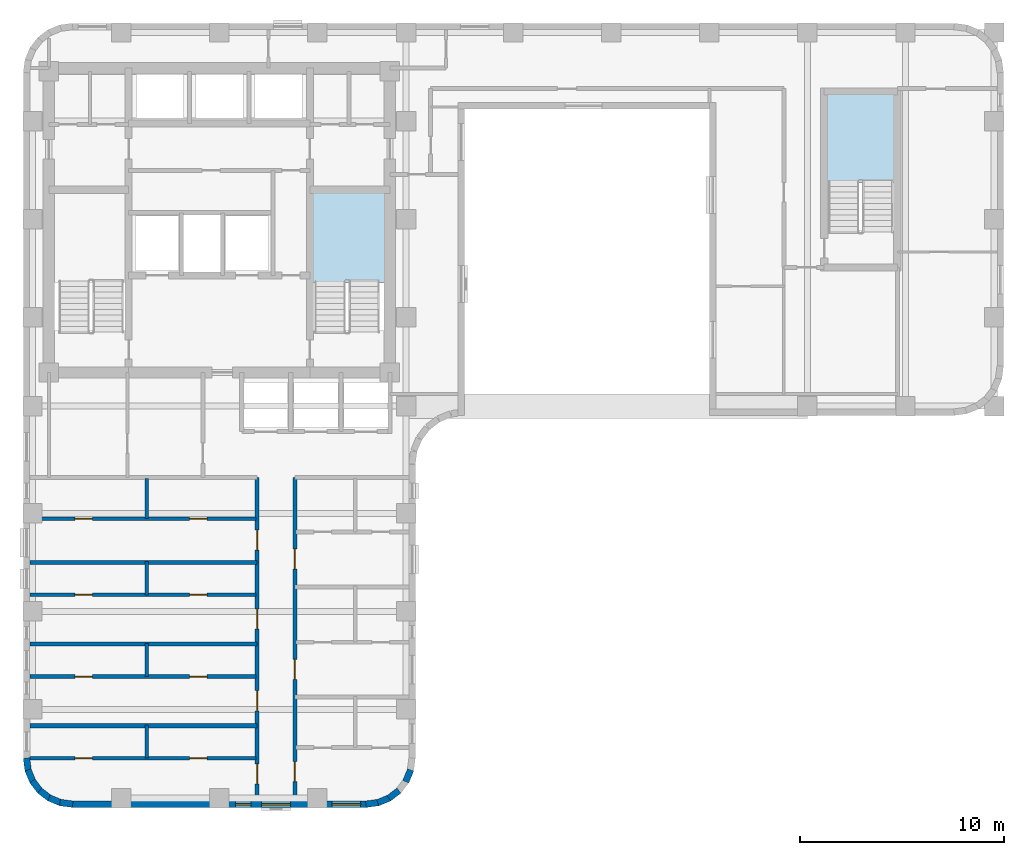
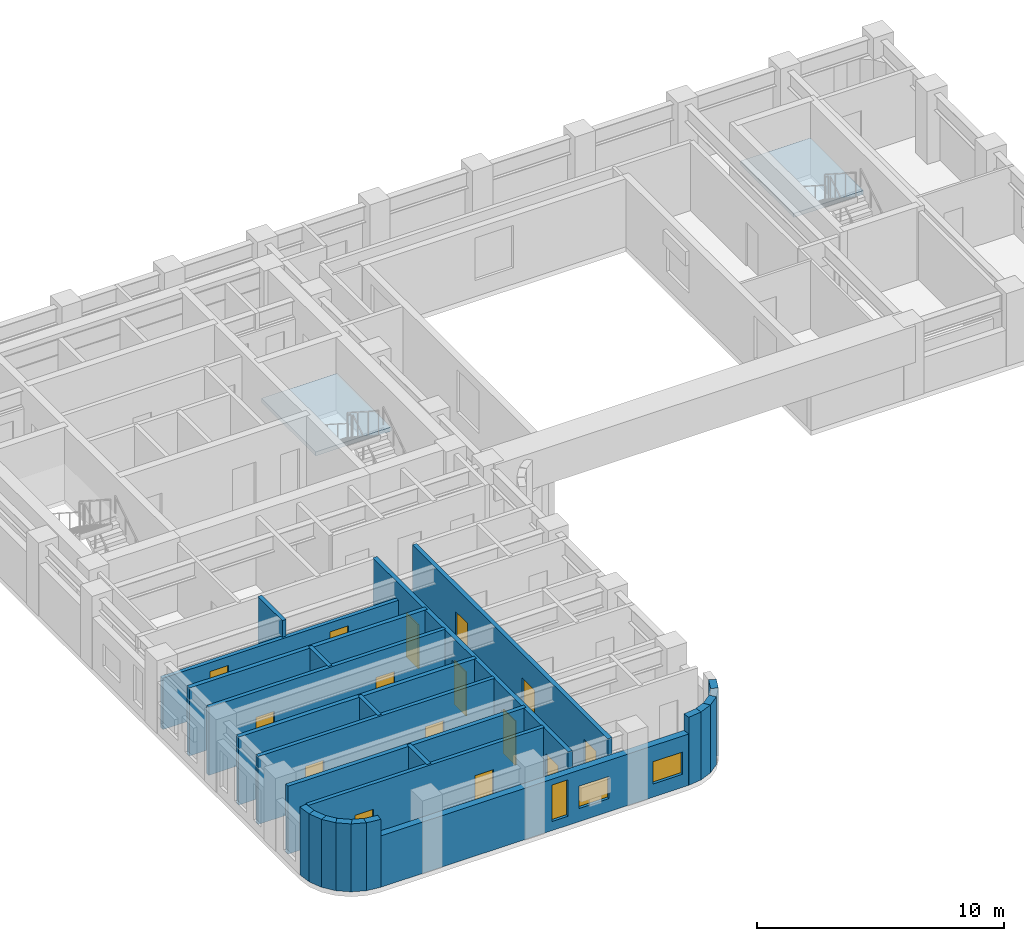
# One storey, part 2 of 8: 24 walls, 15 doors, 3 windows, 2 slabs, 18 openings, 2 elements without a shape of their own.
"""IFC4 building model written with IfcOpenShell, lengths in metres."""

from ifc_helpers import new_model, si_unit, direction, frame, frame_2d, origin, place, context, subcontext, project, spatial, polyline, rectangle, outline, extrude, material, layer, layer_set, type_object, element, fill, aggregate, save


model = new_model("IFC4")

# Units and contexts
model_context = context("Model", 3, precision=1e-05, world=origin(), true_north=direction((0.0, 1.0)))
body_context = subcontext(model_context, "Body", "Model", "MODEL_VIEW")
ifc_project = project(units=[si_unit("LENGTHUNIT", "METRE"), si_unit("AREAUNIT", "SQUARE_METRE"), si_unit("VOLUMEUNIT", "CUBIC_METRE"), si_unit("PLANEANGLEUNIT", "RADIAN"), si_unit("MASSUNIT", "GRAM", prefix="KILO")], contexts=[model_context])

# Site, building, storey
site_placement = place(None, origin())
site = spatial("IfcSite", under=ifc_project, at=site_placement, CompositionType="ELEMENT")
building_placement = place(site_placement, origin())
building = spatial("IfcBuilding", under=site, at=building_placement, Name="Orvandelia Arch Residences", CompositionType="ELEMENT")
storey_placement = place(building_placement, frame((0.0, 0.0, 107.199951171875)))
storey = spatial("IfcBuildingStorey", under=building, at=storey_placement, Name="L27", CompositionType="ELEMENT", Elevation=107.199951171875)

# Stair, slab
ifc_material_1 = material(Name="Concrete C40/50", Category="concrete")
stair_type = type_object("IfcStairType", Name="STAIR-RC-DOGLEG", PredefinedType="HALF_TURN_STAIR", material=ifc_material_1)
stair_1_placement = place(storey_placement, origin())
stair_1 = element("IfcStair", 1, at=stair_1_placement, inside=storey, type_object=stair_type, Name="L27 Protected Exit Stair ST-2", PredefinedType="HALF_TURN_STAIR")
ifc_layer_1 = layer(ifc_material_1, 0.219970703125, Name="Concrete C40/50", Category="concrete")
ifc_layer_set_1 = layer_set([ifc_layer_1], Name="Concrete C40/50")
slab_type = type_object("IfcSlabType", Name="SLB-LANDING-220", PredefinedType="LANDING", material=ifc_layer_set_1)
slab_1_placement = place(storey_placement, frame((0.0, 0.0, 1.60009765625)))
slab_1 = element("IfcSlab", 2, at=slab_1_placement, type_object=slab_type, Name="ST-2 landing 1", PredefinedType="LANDING", context=body_context, shape_type="SweptSolid", body=[
    extrude(outline(polyline([(22.5400390625, 35.31005859375), (22.5400390625, 39.68994140625), (19.0, 39.68994140625), (19.0, 35.31005859375), (22.5400390625, 35.31005859375)])), origin(), (0.0, 0.0, 1.0), 0.199951171875),
])
aggregate(stair_1, [slab_1])

stair_2_placement = place(storey_placement, origin())
stair_2 = element("IfcStair", 3, at=stair_2_placement, inside=storey, type_object=stair_type, Name="L27 East Wing Exit Stair ST-3", PredefinedType="HALF_TURN_STAIR")
slab_2_placement = place(storey_placement, frame((0.0, 0.0, 1.60009765625)))
slab_2 = element("IfcSlab", 4, at=slab_2_placement, type_object=slab_type, Name="ST-3 landing 1", PredefinedType="LANDING", context=body_context, shape_type="SweptSolid", body=[
    extrude(outline(polyline([(47.43994140625, 40.2099609375), (47.43994140625, 44.5), (44.179931640625, 44.5), (44.179931640625, 40.2099609375), (47.43994140625, 40.2099609375)])), origin(), (0.0, 0.0, 1.0), 0.199951171875),
])
aggregate(stair_2, [slab_2])

# Wall, openings, doors
ifc_material_2 = material(Name="Fire-Rated Corridor Partition")
ifc_layer_2 = layer(ifc_material_2, 0.199951171875, Name="Fire-Rated Corridor Partition")
ifc_layer_set_2 = layer_set([ifc_layer_2], Name="Fire-Rated Corridor Partition")
wall_type_1 = type_object("IfcWallType", Name="WL-CORR-200", PredefinedType="PARTITIONING", material=ifc_layer_set_2)
wall_1_placement = place(storey_placement, frame((16.25, 9.919921875, 0.0), z_axis=(0.0, 0.0, 1.0), x_axis=(0.0, 1.0, 0.0)))
wall_1 = element("IfcWall", 5, at=wall_1_placement, inside=storey, type_object=wall_type_1, Name="Interior Partition Wall WL-L27-WC-W", PredefinedType="PARTITIONING", context=body_context, shape_type="SweptSolid", body=[
    extrude(rectangle(XDim=15.830078125, YDim=0.199951171875, at=frame_2d((7.9150390625, 0.0))), origin(), (0.0, 0.0, 1.0), 3.360107421875),
])
opening_1_placement = place(wall_1_placement, frame((0.8349609375, 0.0, 0.0)))
opening_1 = element("IfcOpeningElement", 6, at=opening_1_placement, cuts=wall_1, Name="Opening D1", PredefinedType="OPENING", context=body_context, shape_type="SweptSolid", body=[
    extrude(rectangle(XDim=0.97998046875, YDim=2.179931640625, at=frame_2d((0.489990234375, 1.08984375))), frame((0.0, 0.10986328125, 0.0), z_axis=(0.0, -1.0, 0.0), x_axis=(1.0, 0.0, 0.0)), (0.0, 0.0, 1.0), 0.219970703125),
])
opening_2_placement = place(wall_1_placement, frame((4.4150390625, 0.0, 0.0)))
opening_2 = element("IfcOpeningElement", 7, at=opening_2_placement, cuts=wall_1, Name="Opening D1", PredefinedType="OPENING", context=body_context, shape_type="SweptSolid", body=[
    extrude(rectangle(XDim=0.97998046875, YDim=2.179931640625, at=frame_2d((0.489990234375, 1.08984375))), frame((0.0, 0.10986328125, 0.0), z_axis=(0.0, -1.0, 0.0), x_axis=(1.0, 0.0, 0.0)), (0.0, 0.0, 1.0), 0.219970703125),
])
opening_3_placement = place(wall_1_placement, frame((8.4150390625, 0.0, 0.0)))
opening_3 = element("IfcOpeningElement", 8, at=opening_3_placement, cuts=wall_1, Name="Opening D1", PredefinedType="OPENING", context=body_context, shape_type="SweptSolid", body=[
    extrude(rectangle(XDim=0.97998046875, YDim=2.179931640625, at=frame_2d((0.489990234375, 1.08984375))), frame((0.0, 0.10986328125, 0.0), z_axis=(0.0, -1.0, 0.0), x_axis=(1.0, 0.0, 0.0)), (0.0, 0.0, 1.0), 0.219970703125),
])
opening_4_placement = place(wall_1_placement, frame((12.280029296875, 0.0, 0.0)))
opening_4 = element("IfcOpeningElement", 9, at=opening_4_placement, cuts=wall_1, Name="Opening D1", PredefinedType="OPENING", context=body_context, shape_type="SweptSolid", body=[
    extrude(rectangle(XDim=0.97998046875, YDim=2.179931640625, at=frame_2d((0.489990234375, 1.08984375))), frame((0.0, 0.10986328125, 0.0), z_axis=(0.0, -1.0, 0.0), x_axis=(1.0, 0.0, 0.0)), (0.0, 0.0, 1.0), 0.219970703125),
])
ifc_material_3 = material(Name="Solid-Core Timber Acoustic Fire Door", Category="wood")
door_type_1 = type_object("IfcDoorType", Name="DR-ENT-980", OperationType="NOTDEFINED", PredefinedType="DOOR", material=ifc_material_3)
door_1_placement = place(opening_1_placement, origin())
door_1 = element("IfcDoor", 10, at=door_1_placement, inside=storey, type_object=door_type_1, Name="Unit L27-01 Entrance Door", OperationType="SINGLE_SWING_LEFT", OverallHeight=2.179931640625, OverallWidth=0.97998046875, PredefinedType="DOOR", context=body_context, shape_type="SweptSolid", body=[
    extrude(rectangle(XDim=0.97998046875, YDim=2.179931640625, at=frame_2d((0.489990234375, 1.08984375))), frame((0.0, 0.02490234375, 0.0), z_axis=(0.0, -1.0, 0.0), x_axis=(1.0, 0.0, 0.0)), (0.0, 0.0, 1.0), 0.050048828125),
])
fill(opening_1, door_1)
door_2_placement = place(opening_2_placement, origin())
door_2 = element("IfcDoor", 11, at=door_2_placement, inside=storey, type_object=door_type_1, Name="Unit L27-02 Entrance Door", OperationType="SINGLE_SWING_RIGHT", OverallHeight=2.179931640625, OverallWidth=0.97998046875, PredefinedType="DOOR", context=body_context, shape_type="SweptSolid", body=[
    extrude(rectangle(XDim=0.97998046875, YDim=2.179931640625, at=frame_2d((0.489990234375, 1.08984375))), frame((0.0, 0.02490234375, 0.0), z_axis=(0.0, -1.0, 0.0), x_axis=(1.0, 0.0, 0.0)), (0.0, 0.0, 1.0), 0.050048828125),
])
fill(opening_2, door_2)
door_3_placement = place(opening_3_placement, origin())
door_3 = element("IfcDoor", 12, at=door_3_placement, inside=storey, type_object=door_type_1, Name="Unit L27-03 Entrance Door", OperationType="SINGLE_SWING_LEFT", OverallHeight=2.179931640625, OverallWidth=0.97998046875, PredefinedType="DOOR", context=body_context, shape_type="SweptSolid", body=[
    extrude(rectangle(XDim=0.97998046875, YDim=2.179931640625, at=frame_2d((0.489990234375, 1.08984375))), frame((0.0, 0.02490234375, 0.0), z_axis=(0.0, -1.0, 0.0), x_axis=(1.0, 0.0, 0.0)), (0.0, 0.0, 1.0), 0.050048828125),
])
fill(opening_3, door_3)
door_4_placement = place(opening_4_placement, origin())
door_4 = element("IfcDoor", 13, at=door_4_placement, inside=storey, type_object=door_type_1, Name="Unit L27-04 Entrance Door", OperationType="SINGLE_SWING_RIGHT", OverallHeight=2.179931640625, OverallWidth=0.97998046875, PredefinedType="DOOR", context=body_context, shape_type="SweptSolid", body=[
    extrude(rectangle(XDim=0.97998046875, YDim=2.179931640625, at=frame_2d((0.489990234375, 1.08984375))), frame((0.0, 0.02490234375, 0.0), z_axis=(0.0, -1.0, 0.0), x_axis=(1.0, 0.0, 0.0)), (0.0, 0.0, 1.0), 0.050048828125),
])
fill(opening_4, door_4)

wall_2_placement = place(storey_placement, frame((18.10009765625, 9.919921875, 0.0), z_axis=(0.0, 0.0, 1.0), x_axis=(0.0, 1.0, 0.0)))
wall_2 = element("IfcWall", 14, at=wall_2_placement, inside=storey, type_object=wall_type_1, Name="Interior Partition Wall WL-L27-WC-E", PredefinedType="PARTITIONING", context=body_context, shape_type="SweptSolid", body=[
    extrude(rectangle(XDim=15.830078125, YDim=0.199951171875, at=frame_2d((7.9150390625, 0.0))), origin(), (0.0, 0.0, 1.0), 3.360107421875),
])
opening_5_placement = place(wall_2_placement, frame((0.946044921875, 0.0, 0.0)))
opening_5 = element("IfcOpeningElement", 15, at=opening_5_placement, cuts=wall_2, Name="Opening D1", PredefinedType="OPENING", context=body_context, shape_type="SweptSolid", body=[
    extrude(rectangle(XDim=0.97998046875, YDim=2.179931640625, at=frame_2d((0.489990234375, 1.08984375))), frame((0.0, 0.10986328125, 0.0), z_axis=(0.0, -1.0, 0.0), x_axis=(1.0, 0.0, 0.0)), (0.0, 0.0, 1.0), 0.219970703125),
])
opening_6_placement = place(wall_2_placement, frame((5.9560546875, 0.0, 0.0)))
opening_6 = element("IfcOpeningElement", 16, at=opening_6_placement, cuts=wall_2, Name="Opening D1", PredefinedType="OPENING", context=body_context, shape_type="SweptSolid", body=[
    extrude(rectangle(XDim=0.97998046875, YDim=2.179931640625, at=frame_2d((0.489990234375, 1.08984375))), frame((0.0, 0.10986328125, 0.0), z_axis=(0.0, -1.0, 0.0), x_axis=(1.0, 0.0, 0.0)), (0.0, 0.0, 1.0), 0.219970703125),
])
opening_7_placement = place(wall_2_placement, frame((11.35595703125, 0.0, 0.0)))
opening_7 = element("IfcOpeningElement", 17, at=opening_7_placement, cuts=wall_2, Name="Opening D1", PredefinedType="OPENING", context=body_context, shape_type="SweptSolid", body=[
    extrude(rectangle(XDim=0.97998046875, YDim=2.179931640625, at=frame_2d((0.489990234375, 1.08984375))), frame((0.0, 0.10986328125, 0.0), z_axis=(0.0, -1.0, 0.0), x_axis=(1.0, 0.0, 0.0)), (0.0, 0.0, 1.0), 0.219970703125),
])
door_5_placement = place(opening_5_placement, origin())
door_5 = element("IfcDoor", 18, at=door_5_placement, inside=storey, type_object=door_type_1, Name="Unit L27-05 Entrance Door", OperationType="SINGLE_SWING_LEFT", OverallHeight=2.179931640625, OverallWidth=0.97998046875, PredefinedType="DOOR", context=body_context, shape_type="SweptSolid", body=[
    extrude(rectangle(XDim=0.97998046875, YDim=2.179931640625, at=frame_2d((0.489990234375, 1.08984375))), frame((0.0, 0.02490234375, 0.0), z_axis=(0.0, -1.0, 0.0), x_axis=(1.0, 0.0, 0.0)), (0.0, 0.0, 1.0), 0.050048828125),
])
fill(opening_5, door_5)
door_6_placement = place(opening_6_placement, origin())
door_6 = element("IfcDoor", 19, at=door_6_placement, inside=storey, type_object=door_type_1, Name="Unit L27-06 Entrance Door", OperationType="SINGLE_SWING_RIGHT", OverallHeight=2.179931640625, OverallWidth=0.97998046875, PredefinedType="DOOR", context=body_context, shape_type="SweptSolid", body=[
    extrude(rectangle(XDim=0.97998046875, YDim=2.179931640625, at=frame_2d((0.489990234375, 1.08984375))), frame((0.0, 0.02490234375, 0.0), z_axis=(0.0, -1.0, 0.0), x_axis=(1.0, 0.0, 0.0)), (0.0, 0.0, 1.0), 0.050048828125),
])
fill(opening_6, door_6)
door_7_placement = place(opening_7_placement, origin())
door_7 = element("IfcDoor", 20, at=door_7_placement, inside=storey, type_object=door_type_1, Name="Unit L27-07 Entrance Door", OperationType="SINGLE_SWING_LEFT", OverallHeight=2.179931640625, OverallWidth=0.97998046875, PredefinedType="DOOR", context=body_context, shape_type="SweptSolid", body=[
    extrude(rectangle(XDim=0.97998046875, YDim=2.179931640625, at=frame_2d((0.489990234375, 1.08984375))), frame((0.0, 0.02490234375, 0.0), z_axis=(0.0, -1.0, 0.0), x_axis=(1.0, 0.0, 0.0)), (0.0, 0.0, 1.0), 0.050048828125),
])
fill(opening_7, door_7)

# Walls
ifc_layer_3 = layer(ifc_material_1, 0.199951171875, Name="Concrete C40/50", Category="concrete")
ifc_layer_set_3 = layer_set([ifc_layer_3], Name="Concrete C40/50")
wall_type_2 = type_object("IfcWallType", Name="WL-DEM-200", PredefinedType="SOLIDWALL", material=ifc_layer_set_3)
for number, where, z_axis, x_axis, name in (
    (21, (5.1201171875, 13.60009765625, 0.0), (0.0, 0.0, 1.0), (1.0, 0.0, 0.0), "Interior Partition Wall WL-L27-DEM-WL-136"),
    (22, (5.1201171875, 17.60009765625, 0.0), (0.0, 0.0, 1.0), (1.0, 0.0, 0.0), "Interior Partition Wall WL-L27-DEM-WL-176"),
    (23, (5.1201171875, 21.60009765625, 0.0), (0.0, 0.0, 1.0), (1.0, 0.0, 0.0), "Interior Partition Wall WL-L27-DEM-WL-216"),
):
    element("IfcWall", number, at=place(storey_placement, frame(where, z_axis=z_axis, x_axis=x_axis)), inside=storey, type_object=wall_type_2, Name=name, PredefinedType="SOLIDWALL", context=body_context, shape_type="SweptSolid", body=[
        extrude(rectangle(XDim=11.1298828125, YDim=0.199951171875, at=frame_2d((5.56494140625, 0.0))), origin(), (0.0, 0.0, 1.0), 3.360107421875),
    ])
ifc_material_4 = material(Name="Precast concrete C40/50", Category="concrete")
ifc_layer_4 = layer(ifc_material_4, 0.320068359375, Name="Precast concrete C40/50", Category="concrete")
ifc_layer_set_4 = layer_set([ifc_layer_4], Name="Precast concrete C40/50")
wall_type_3 = type_object("IfcWallType", Name="WL-EXT-STONE-320", PredefinedType="STANDARD", material=ifc_layer_set_4)
for number, where, z_axis, x_axis, name in (
    (24, (23.7705078125, 11.43994140625, 0.0), (0.0, 0.0, 1.0), (-0.382650053678, -0.92389335771, 0.0), "Coral-Limestone Precast Facade Wall L27-033"),
    (25, (23.19970703125, 10.4296875, 0.0), (0.0, 0.0, 1.0), (-0.793405610854, -0.608693302629, 0.0), "Coral-Limestone Precast Facade Wall L27-035"),
    (26, (22.73876953125, 10.0693359375, 0.0), (0.0, 0.0, 1.0), (-0.92389335771, -0.382650053678, 0.0), "Coral-Limestone Precast Facade Wall L27-036"),
    (27, (22.2001953125, 9.84033203125, 0.0), (0.0, 0.0, 1.0), (-0.9914410257, -0.130555323746, 0.0), "Coral-Limestone Precast Facade Wall L27-037"),
):
    element("IfcWall", number, at=place(storey_placement, frame(where, z_axis=z_axis, x_axis=x_axis)), inside=storey, type_object=wall_type_3, Name=name, PredefinedType="STANDARD", context=body_context, shape_type="SweptSolid", body=[
        extrude(rectangle(XDim=0.62646484375, YDim=0.320068359375, at=frame_2d((0.313232421875, 0.0))), origin(), (0.0, 0.0, 1.0), 3.360107421875),
    ])

# Wall, openings, windows
wall_3_placement = place(storey_placement, frame((21.60009765625, 9.760009765625, 0.0), z_axis=(0.0, 0.0, 1.0), x_axis=(-1.0, 0.0, 0.0)))
wall_3 = element("IfcWall", 28, at=wall_3_placement, inside=storey, type_object=wall_type_3, Name="Coral-Limestone Precast Facade Wall L27-038", PredefinedType="STANDARD", context=body_context, shape_type="SweptSolid", body=[
    extrude(rectangle(XDim=14.400146484375, YDim=0.320068359375, at=frame_2d((7.2001953125, 0.0))), origin(), (0.0, 0.0, 1.0), 2.5400390625),
])
opening_8_placement = place(wall_3_placement, frame((5.652587890625, 0.0, 0.449951171875)))
opening_8 = element("IfcOpeningElement", 29, at=opening_8_placement, cuts=wall_3, Name="Opening W11", PredefinedType="OPENING", context=body_context, shape_type="SweptSolid", body=[
    extrude(rectangle(XDim=0.75, YDim=1.800048828125, at=frame_2d((0.375, 0.89990234375))), frame((0.0, 0.169921875, 0.0), z_axis=(0.0, -1.0, 0.0), x_axis=(1.0, 0.0, 0.0)), (0.0, 0.0, 1.0), 0.340087890625),
])
opening_9_placement = place(wall_3_placement, frame((0.282470703125, 0.0, 0.64990234375)))
opening_9 = element("IfcOpeningElement", 30, at=opening_9_placement, cuts=wall_3, Name="Opening W10", PredefinedType="OPENING", context=body_context, shape_type="SweptSolid", body=[
    extrude(rectangle(XDim=1.39990234375, YDim=1.10009765625, at=frame_2d((0.699951171875, 0.550048828125))), frame((0.0, 0.169921875, 0.0), z_axis=(0.0, -1.0, 0.0), x_axis=(1.0, 0.0, 0.0)), (0.0, 0.0, 1.0), 0.340087890625),
])
opening_10_placement = place(wall_3_placement, frame((3.72509765625, 0.0, 0.64990234375)))
opening_10 = element("IfcOpeningElement", 31, at=opening_10_placement, cuts=wall_3, Name="Opening W10", PredefinedType="OPENING", context=body_context, shape_type="SweptSolid", body=[
    extrude(rectangle(XDim=1.39990234375, YDim=1.10009765625, at=frame_2d((0.699951171875, 0.550048828125))), frame((0.0, 0.169921875, 0.0), z_axis=(0.0, -1.0, 0.0), x_axis=(1.0, 0.0, 0.0)), (0.0, 0.0, 1.0), 0.340087890625),
])
ifc_material_5 = material(Name="Tempered Low-E Insulated Glazing", Category="glass")
window_type_1 = type_object("IfcWindowType", Name="WIN-BED-0750x1800", PartitioningType="SINGLE_PANEL", PredefinedType="WINDOW", material=ifc_material_5)
window_1_placement = place(opening_8_placement, origin())
window_1 = element("IfcWindow", 32, at=window_1_placement, inside=storey, type_object=window_type_1, Name="Recessed Punched Window L27-016", OverallHeight=1.800048828125, OverallWidth=0.75, PartitioningType="SINGLE_PANEL", PredefinedType="WINDOW", context=body_context, shape_type="SweptSolid", body=[
    extrude(rectangle(XDim=0.75, YDim=1.800048828125, at=frame_2d((0.375, 0.89990234375))), frame((0.0, 0.030029296875, 0.0), z_axis=(0.0, -1.0, 0.0), x_axis=(1.0, 0.0, 0.0)), (0.0, 0.0, 1.0), 0.06005859375),
])
fill(opening_8, window_1)
window_type_2 = type_object("IfcWindowType", Name="WIN-CLR-1400x1100", PartitioningType="SINGLE_PANEL", PredefinedType="WINDOW", material=ifc_material_5)
window_2_placement = place(opening_9_placement, origin())
window_2 = element("IfcWindow", 33, at=window_2_placement, inside=storey, type_object=window_type_2, Name="Recessed Punched Window L27-017", OverallHeight=1.10009765625, OverallWidth=1.39990234375, PartitioningType="SINGLE_PANEL", PredefinedType="WINDOW", context=body_context, shape_type="SweptSolid", body=[
    extrude(rectangle(XDim=1.39990234375, YDim=1.10009765625, at=frame_2d((0.699951171875, 0.550048828125))), frame((0.0, 0.030029296875, 0.0), z_axis=(0.0, -1.0, 0.0), x_axis=(1.0, 0.0, 0.0)), (0.0, 0.0, 1.0), 0.06005859375),
])
fill(opening_9, window_2)
window_3_placement = place(opening_10_placement, origin())
window_3 = element("IfcWindow", 34, at=window_3_placement, inside=storey, type_object=window_type_2, Name="Recessed Punched Window L27-018", OverallHeight=1.10009765625, OverallWidth=1.39990234375, PartitioningType="SINGLE_PANEL", PredefinedType="WINDOW", context=body_context, shape_type="SweptSolid", body=[
    extrude(rectangle(XDim=1.39990234375, YDim=1.10009765625, at=frame_2d((0.699951171875, 0.550048828125))), frame((0.0, 0.030029296875, 0.0), z_axis=(0.0, -1.0, 0.0), x_axis=(1.0, 0.0, 0.0)), (0.0, 0.0, 1.0), 0.06005859375),
])
fill(opening_10, window_3)

# Walls
wall_4_placement = place(storey_placement, frame((7.220947265625, 9.758544921875, 0.0), z_axis=(0.0, 0.0, 1.0), x_axis=(-0.991447664465, 0.130504898859, 0.0)))
element("IfcWall", 35, at=wall_4_placement, inside=storey, type_object=wall_type_3, Name="Coral-Limestone Precast Facade Wall L27-039", PredefinedType="STANDARD", context=body_context, shape_type="SweptSolid", body=[
    extrude(rectangle(XDim=0.626708984375, YDim=0.320068359375, at=frame_2d((0.3134765625, 0.0))), origin(), (0.0, 0.0, 1.0), 3.360107421875),
])
wall_5_placement = place(storey_placement, frame((6.639892578125, 9.82958984375, 0.0), z_axis=(0.0, 0.0, 1.0), x_axis=(-0.923836271867, 0.382787856107, 0.0)))
element("IfcWall", 36, at=wall_5_placement, inside=storey, type_object=wall_type_3, Name="Coral-Limestone Precast Facade Wall L27-040", PredefinedType="STANDARD", context=body_context, shape_type="SweptSolid", body=[
    extrude(rectangle(XDim=0.626220703125, YDim=0.320068359375, at=frame_2d((0.31298828125, 0.0))), origin(), (0.0, 0.0, 1.0), 3.360107421875),
])
wall_6_placement = place(storey_placement, frame((6.097412109375, 10.04833984375, 0.0), z_axis=(0.0, 0.0, 1.0), x_axis=(-0.793405610854, 0.608693302629, 0.0)))
element("IfcWall", 37, at=wall_6_placement, inside=storey, type_object=wall_type_3, Name="Coral-Limestone Precast Facade Wall L27-041", PredefinedType="STANDARD", context=body_context, shape_type="SweptSolid", body=[
    extrude(rectangle(XDim=0.62646484375, YDim=0.320068359375, at=frame_2d((0.313232421875, 0.0))), origin(), (0.0, 0.0, 1.0), 3.360107421875),
])
wall_7_placement = place(storey_placement, frame((5.6298828125, 10.400390625, 0.0), z_axis=(0.0, 0.0, 1.0), x_axis=(-0.608938521285, 0.7932174212, 0.0)))
element("IfcWall", 38, at=wall_7_placement, inside=storey, type_object=wall_type_3, Name="Coral-Limestone Precast Facade Wall L27-042", PredefinedType="STANDARD", context=body_context, shape_type="SweptSolid", body=[
    extrude(rectangle(XDim=0.626708984375, YDim=0.320068359375, at=frame_2d((0.3134765625, 0.0))), origin(), (0.0, 0.0, 1.0), 3.360107421875),
])
wall_8_placement = place(storey_placement, frame((5.269287109375, 10.861083984375, 0.0), z_axis=(0.0, 0.0, 1.0), x_axis=(-0.382650053678, 0.92389335771, 0.0)))
element("IfcWall", 39, at=wall_8_placement, inside=storey, type_object=wall_type_3, Name="Coral-Limestone Precast Facade Wall L27-043", PredefinedType="STANDARD", context=body_context, shape_type="SweptSolid", body=[
    extrude(rectangle(XDim=0.62646484375, YDim=0.320068359375, at=frame_2d((0.313232421875, 0.0))), origin(), (0.0, 0.0, 1.0), 3.360107421875),
])
wall_9_placement = place(storey_placement, frame((5.040283203125, 11.399658203125, 0.0), z_axis=(0.0, 0.0, 1.0), x_axis=(-0.130504898859, 0.991447664465, 0.0)))
element("IfcWall", 40, at=wall_9_placement, inside=storey, type_object=wall_type_3, Name="Coral-Limestone Precast Facade Wall L27-044", PredefinedType="STANDARD", context=body_context, shape_type="SweptSolid", body=[
    extrude(rectangle(XDim=0.626708984375, YDim=0.320068359375, at=frame_2d((0.3134765625, 0.0))), origin(), (0.0, 0.0, 1.0), 3.360107421875),
])

# Wall, openings, doors
ifc_material_6 = material(Name="Moisture-Resistant Plumbing Wall")
ifc_layer_5 = layer(ifc_material_6, 0.179931640625, Name="Moisture-Resistant Plumbing Wall")
ifc_layer_set_5 = layer_set([ifc_layer_5], Name="Moisture-Resistant Plumbing Wall")
wall_type_4 = type_object("IfcWallType", Name="WL-WET-180", PredefinedType="PLUMBINGWALL", material=ifc_layer_set_5)
wall_10_placement = place(storey_placement, frame((5.139892578125, 12.010009765625, 0.0), z_axis=(0.0, 0.0, 1.0), x_axis=(1.0, 0.0, 0.0)))
wall_10 = element("IfcWall", 41, at=wall_10_placement, inside=storey, type_object=wall_type_4, Name="Interior Partition Wall WL-L27-U01-HZ", PredefinedType="PLUMBINGWALL", context=body_context, shape_type="SweptSolid", body=[
    extrude(rectangle(XDim=11.050048828125, YDim=0.179931640625, at=frame_2d((5.52490234375, 0.0))), origin(), (0.0, 0.0, 1.0), 3.360107421875),
])
opening_11_placement = place(wall_10_placement, frame((2.18896484375, 0.0, 0.0)))
opening_11 = element("IfcOpeningElement", 42, at=opening_11_placement, cuts=wall_10, Name="Opening D4", PredefinedType="OPENING", context=body_context, shape_type="SweptSolid", body=[
    extrude(rectangle(XDim=0.860107421875, YDim=2.10009765625, at=frame_2d((0.43017578125, 1.050048828125))), frame((0.0, 0.10009765625, 0.0), z_axis=(0.0, -1.0, 0.0), x_axis=(1.0, 0.0, 0.0)), (0.0, 0.0, 1.0), 0.199951171875),
])
opening_12_placement = place(wall_10_placement, frame((7.803955078125, 0.0, 0.0)))
opening_12 = element("IfcOpeningElement", 43, at=opening_12_placement, cuts=wall_10, Name="Opening D4", PredefinedType="OPENING", context=body_context, shape_type="SweptSolid", body=[
    extrude(rectangle(XDim=0.860107421875, YDim=2.10009765625, at=frame_2d((0.43017578125, 1.050048828125))), frame((0.0, 0.10009765625, 0.0), z_axis=(0.0, -1.0, 0.0), x_axis=(1.0, 0.0, 0.0)), (0.0, 0.0, 1.0), 0.199951171875),
])
ifc_material_7 = material(Name="Moisture-Sealed Timber Bathroom Door", Category="wood")
door_type_2 = type_object("IfcDoorType", Name="DR-WET-900", OperationType="NOTDEFINED", PredefinedType="DOOR", material=ifc_material_7)
door_8_placement = place(opening_11_placement, origin())
door_8 = element("IfcDoor", 44, at=door_8_placement, inside=storey, type_object=door_type_2, Name="DR-L27-U01-KIT", OperationType="SINGLE_SWING_LEFT", OverallHeight=2.10009765625, OverallWidth=0.860107421875, PredefinedType="DOOR", context=body_context, shape_type="SweptSolid", body=[
    extrude(rectangle(XDim=0.860107421875, YDim=2.10009765625, at=frame_2d((0.43017578125, 1.050048828125))), frame((0.0, 0.02490234375, 0.0), z_axis=(0.0, -1.0, 0.0), x_axis=(1.0, 0.0, 0.0)), (0.0, 0.0, 1.0), 0.050048828125),
])
fill(opening_11, door_8)
door_9_placement = place(opening_12_placement, origin())
door_9 = element("IfcDoor", 45, at=door_9_placement, inside=storey, type_object=door_type_2, Name="DR-L27-U01-BTH", OperationType="SINGLE_SWING_RIGHT", OverallHeight=2.10009765625, OverallWidth=0.860107421875, PredefinedType="DOOR", context=body_context, shape_type="SweptSolid", body=[
    extrude(rectangle(XDim=0.860107421875, YDim=2.10009765625, at=frame_2d((0.43017578125, 1.050048828125))), frame((0.0, 0.02490234375, 0.0), z_axis=(0.0, -1.0, 0.0), x_axis=(1.0, 0.0, 0.0)), (0.0, 0.0, 1.0), 0.050048828125),
])
fill(opening_12, door_9)

# Wall
wall_11_placement = place(storey_placement, frame((10.847900390625, 12.010009765625, 0.0), z_axis=(0.0, 0.0, 1.0), x_axis=(0.0, 1.0, 0.0)))
element("IfcWall", 46, at=wall_11_placement, inside=storey, type_object=wall_type_4, Name="Interior Partition Wall WL-L27-U01-V1", PredefinedType="PLUMBINGWALL", context=body_context, shape_type="SweptSolid", body=[
    extrude(rectangle(XDim=1.6298828125, YDim=0.179931640625, at=frame_2d((0.81494140625, 0.0))), origin(), (0.0, 0.0, 1.0), 3.360107421875),
])

# Wall, openings, doors
wall_12_placement = place(storey_placement, frame((5.1201171875, 16.010009765625, 0.0), z_axis=(0.0, 0.0, 1.0), x_axis=(1.0, 0.0, 0.0)))
wall_12 = element("IfcWall", 47, at=wall_12_placement, inside=storey, type_object=wall_type_4, Name="Interior Partition Wall WL-L27-U02-HZ", PredefinedType="PLUMBINGWALL", context=body_context, shape_type="SweptSolid", body=[
    extrude(rectangle(XDim=11.06982421875, YDim=0.179931640625, at=frame_2d((5.534912109375, 0.0))), origin(), (0.0, 0.0, 1.0), 3.360107421875),
])
opening_13_placement = place(wall_12_placement, frame((2.208984375, 0.0, 0.0)))
opening_13 = element("IfcOpeningElement", 48, at=opening_13_placement, cuts=wall_12, Name="Opening D4", PredefinedType="OPENING", context=body_context, shape_type="SweptSolid", body=[
    extrude(rectangle(XDim=0.860107421875, YDim=2.10009765625, at=frame_2d((0.43017578125, 1.050048828125))), frame((0.0, 0.10009765625, 0.0), z_axis=(0.0, -1.0, 0.0), x_axis=(1.0, 0.0, 0.0)), (0.0, 0.0, 1.0), 0.199951171875),
])
opening_14_placement = place(wall_12_placement, frame((7.823974609375, 0.0, 0.0)))
opening_14 = element("IfcOpeningElement", 49, at=opening_14_placement, cuts=wall_12, Name="Opening D4", PredefinedType="OPENING", context=body_context, shape_type="SweptSolid", body=[
    extrude(rectangle(XDim=0.860107421875, YDim=2.10009765625, at=frame_2d((0.43017578125, 1.050048828125))), frame((0.0, 0.10009765625, 0.0), z_axis=(0.0, -1.0, 0.0), x_axis=(1.0, 0.0, 0.0)), (0.0, 0.0, 1.0), 0.199951171875),
])
door_10_placement = place(opening_13_placement, origin())
door_10 = element("IfcDoor", 50, at=door_10_placement, inside=storey, type_object=door_type_2, Name="DR-L27-U02-KIT", OperationType="SINGLE_SWING_RIGHT", OverallHeight=2.10009765625, OverallWidth=0.860107421875, PredefinedType="DOOR", context=body_context, shape_type="SweptSolid", body=[
    extrude(rectangle(XDim=0.860107421875, YDim=2.10009765625, at=frame_2d((0.43017578125, 1.050048828125))), frame((0.0, 0.02490234375, 0.0), z_axis=(0.0, -1.0, 0.0), x_axis=(1.0, 0.0, 0.0)), (0.0, 0.0, 1.0), 0.050048828125),
])
fill(opening_13, door_10)
door_11_placement = place(opening_14_placement, origin())
door_11 = element("IfcDoor", 51, at=door_11_placement, inside=storey, type_object=door_type_2, Name="DR-L27-U02-BTH", OperationType="SINGLE_SWING_LEFT", OverallHeight=2.10009765625, OverallWidth=0.860107421875, PredefinedType="DOOR", context=body_context, shape_type="SweptSolid", body=[
    extrude(rectangle(XDim=0.860107421875, YDim=2.10009765625, at=frame_2d((0.43017578125, 1.050048828125))), frame((0.0, 0.02490234375, 0.0), z_axis=(0.0, -1.0, 0.0), x_axis=(1.0, 0.0, 0.0)), (0.0, 0.0, 1.0), 0.050048828125),
])
fill(opening_14, door_11)

# Wall
wall_13_placement = place(storey_placement, frame((10.847900390625, 16.010009765625, 0.0), z_axis=(0.0, 0.0, 1.0), x_axis=(0.0, 1.0, 0.0)))
element("IfcWall", 52, at=wall_13_placement, inside=storey, type_object=wall_type_4, Name="Interior Partition Wall WL-L27-U02-V1", PredefinedType="PLUMBINGWALL", context=body_context, shape_type="SweptSolid", body=[
    extrude(rectangle(XDim=1.6298828125, YDim=0.179931640625, at=frame_2d((0.81494140625, 0.0))), origin(), (0.0, 0.0, 1.0), 3.360107421875),
])

# Wall, openings, doors
wall_14_placement = place(storey_placement, frame((5.1201171875, 20.010009765625, 0.0), z_axis=(0.0, 0.0, 1.0), x_axis=(1.0, 0.0, 0.0)))
wall_14 = element("IfcWall", 53, at=wall_14_placement, inside=storey, type_object=wall_type_4, Name="Interior Partition Wall WL-L27-U03-HZ", PredefinedType="PLUMBINGWALL", context=body_context, shape_type="SweptSolid", body=[
    extrude(rectangle(XDim=11.06982421875, YDim=0.179931640625, at=frame_2d((5.534912109375, 0.0))), origin(), (0.0, 0.0, 1.0), 3.360107421875),
])
opening_15_placement = place(wall_14_placement, frame((2.208984375, 0.0, 0.0)))
opening_15 = element("IfcOpeningElement", 54, at=opening_15_placement, cuts=wall_14, Name="Opening D4", PredefinedType="OPENING", context=body_context, shape_type="SweptSolid", body=[
    extrude(rectangle(XDim=0.860107421875, YDim=2.10009765625, at=frame_2d((0.43017578125, 1.050048828125))), frame((0.0, 0.10009765625, 0.0), z_axis=(0.0, -1.0, 0.0), x_axis=(1.0, 0.0, 0.0)), (0.0, 0.0, 1.0), 0.199951171875),
])
opening_16_placement = place(wall_14_placement, frame((7.823974609375, 0.0, 0.0)))
opening_16 = element("IfcOpeningElement", 55, at=opening_16_placement, cuts=wall_14, Name="Opening D4", PredefinedType="OPENING", context=body_context, shape_type="SweptSolid", body=[
    extrude(rectangle(XDim=0.860107421875, YDim=2.10009765625, at=frame_2d((0.43017578125, 1.050048828125))), frame((0.0, 0.10009765625, 0.0), z_axis=(0.0, -1.0, 0.0), x_axis=(1.0, 0.0, 0.0)), (0.0, 0.0, 1.0), 0.199951171875),
])
door_12_placement = place(opening_15_placement, origin())
door_12 = element("IfcDoor", 56, at=door_12_placement, inside=storey, type_object=door_type_2, Name="DR-L27-U03-KIT", OperationType="SINGLE_SWING_LEFT", OverallHeight=2.10009765625, OverallWidth=0.860107421875, PredefinedType="DOOR", context=body_context, shape_type="SweptSolid", body=[
    extrude(rectangle(XDim=0.860107421875, YDim=2.10009765625, at=frame_2d((0.43017578125, 1.050048828125))), frame((0.0, 0.02490234375, 0.0), z_axis=(0.0, -1.0, 0.0), x_axis=(1.0, 0.0, 0.0)), (0.0, 0.0, 1.0), 0.050048828125),
])
fill(opening_15, door_12)
door_13_placement = place(opening_16_placement, origin())
door_13 = element("IfcDoor", 57, at=door_13_placement, inside=storey, type_object=door_type_2, Name="DR-L27-U03-BTH", OperationType="SINGLE_SWING_RIGHT", OverallHeight=2.10009765625, OverallWidth=0.860107421875, PredefinedType="DOOR", context=body_context, shape_type="SweptSolid", body=[
    extrude(rectangle(XDim=0.860107421875, YDim=2.10009765625, at=frame_2d((0.43017578125, 1.050048828125))), frame((0.0, 0.02490234375, 0.0), z_axis=(0.0, -1.0, 0.0), x_axis=(1.0, 0.0, 0.0)), (0.0, 0.0, 1.0), 0.050048828125),
])
fill(opening_16, door_13)

# Wall
wall_15_placement = place(storey_placement, frame((10.847900390625, 20.010009765625, 0.0), z_axis=(0.0, 0.0, 1.0), x_axis=(0.0, 1.0, 0.0)))
element("IfcWall", 58, at=wall_15_placement, inside=storey, type_object=wall_type_4, Name="Interior Partition Wall WL-L27-U03-V1", PredefinedType="PLUMBINGWALL", context=body_context, shape_type="SweptSolid", body=[
    extrude(rectangle(XDim=1.6298828125, YDim=0.179931640625, at=frame_2d((0.81494140625, 0.0))), origin(), (0.0, 0.0, 1.0), 3.360107421875),
])

# Wall, openings, doors
wall_16_placement = place(storey_placement, frame((5.1201171875, 23.739990234375, 0.0), z_axis=(0.0, 0.0, 1.0), x_axis=(1.0, 0.0, 0.0)))
wall_16 = element("IfcWall", 59, at=wall_16_placement, inside=storey, type_object=wall_type_4, Name="Interior Partition Wall WL-L27-U04-HZ", PredefinedType="PLUMBINGWALL", context=body_context, shape_type="SweptSolid", body=[
    extrude(rectangle(XDim=11.06982421875, YDim=0.179931640625, at=frame_2d((5.534912109375, 0.0))), origin(), (0.0, 0.0, 1.0), 2.5400390625),
])
opening_17_placement = place(wall_16_placement, frame((2.208984375, 0.0, 0.0)))
opening_17 = element("IfcOpeningElement", 60, at=opening_17_placement, cuts=wall_16, Name="Opening D4", PredefinedType="OPENING", context=body_context, shape_type="SweptSolid", body=[
    extrude(rectangle(XDim=0.860107421875, YDim=2.10009765625, at=frame_2d((0.43017578125, 1.050048828125))), frame((0.0, 0.10009765625, 0.0), z_axis=(0.0, -1.0, 0.0), x_axis=(1.0, 0.0, 0.0)), (0.0, 0.0, 1.0), 0.199951171875),
])
opening_18_placement = place(wall_16_placement, frame((7.823974609375, 0.0, 0.0)))
opening_18 = element("IfcOpeningElement", 61, at=opening_18_placement, cuts=wall_16, Name="Opening D4", PredefinedType="OPENING", context=body_context, shape_type="SweptSolid", body=[
    extrude(rectangle(XDim=0.860107421875, YDim=2.10009765625, at=frame_2d((0.43017578125, 1.050048828125))), frame((0.0, 0.10009765625, 0.0), z_axis=(0.0, -1.0, 0.0), x_axis=(1.0, 0.0, 0.0)), (0.0, 0.0, 1.0), 0.199951171875),
])
door_14_placement = place(opening_17_placement, origin())
door_14 = element("IfcDoor", 62, at=door_14_placement, inside=storey, type_object=door_type_2, Name="DR-L27-U04-KIT", OperationType="SINGLE_SWING_RIGHT", OverallHeight=2.10009765625, OverallWidth=0.860107421875, PredefinedType="DOOR", context=body_context, shape_type="SweptSolid", body=[
    extrude(rectangle(XDim=0.860107421875, YDim=2.10009765625, at=frame_2d((0.43017578125, 1.050048828125))), frame((0.0, 0.02490234375, 0.0), z_axis=(0.0, -1.0, 0.0), x_axis=(1.0, 0.0, 0.0)), (0.0, 0.0, 1.0), 0.050048828125),
])
fill(opening_17, door_14)
door_15_placement = place(opening_18_placement, origin())
door_15 = element("IfcDoor", 63, at=door_15_placement, inside=storey, type_object=door_type_2, Name="DR-L27-U04-BTH", OperationType="SINGLE_SWING_LEFT", OverallHeight=2.10009765625, OverallWidth=0.860107421875, PredefinedType="DOOR", context=body_context, shape_type="SweptSolid", body=[
    extrude(rectangle(XDim=0.860107421875, YDim=2.10009765625, at=frame_2d((0.43017578125, 1.050048828125))), frame((0.0, 0.02490234375, 0.0), z_axis=(0.0, -1.0, 0.0), x_axis=(1.0, 0.0, 0.0)), (0.0, 0.0, 1.0), 0.050048828125),
])
fill(opening_18, door_15)

# Wall
wall_17_placement = place(storey_placement, frame((10.847900390625, 23.739990234375, 0.0), z_axis=(0.0, 0.0, 1.0), x_axis=(0.0, 1.0, 0.0)))
element("IfcWall", 64, at=wall_17_placement, inside=storey, type_object=wall_type_4, Name="Interior Partition Wall WL-L27-U04-V1", PredefinedType="PLUMBINGWALL", context=body_context, shape_type="SweptSolid", body=[
    extrude(rectangle(XDim=1.97998046875, YDim=0.179931640625, at=frame_2d((0.989990234375, 0.0))), origin(), (0.0, 0.0, 1.0), 3.360107421875),
])

save(model, "model.ifc")
